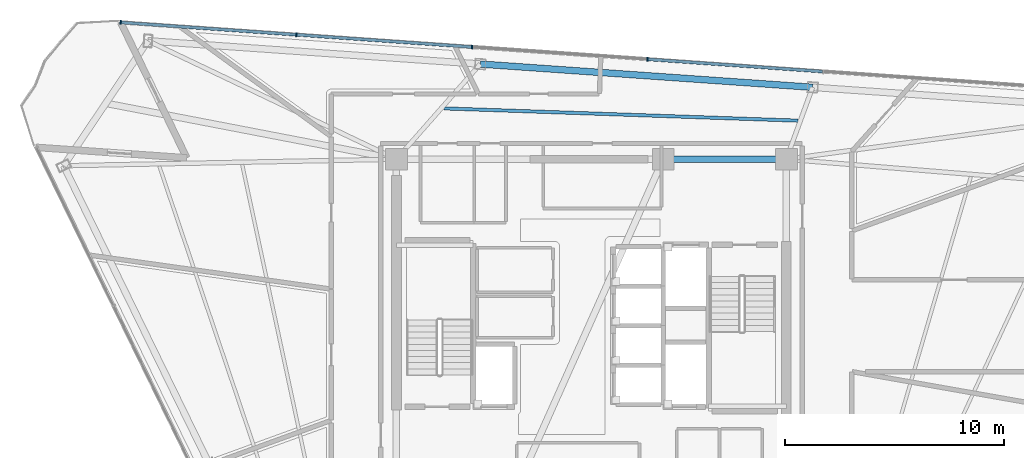
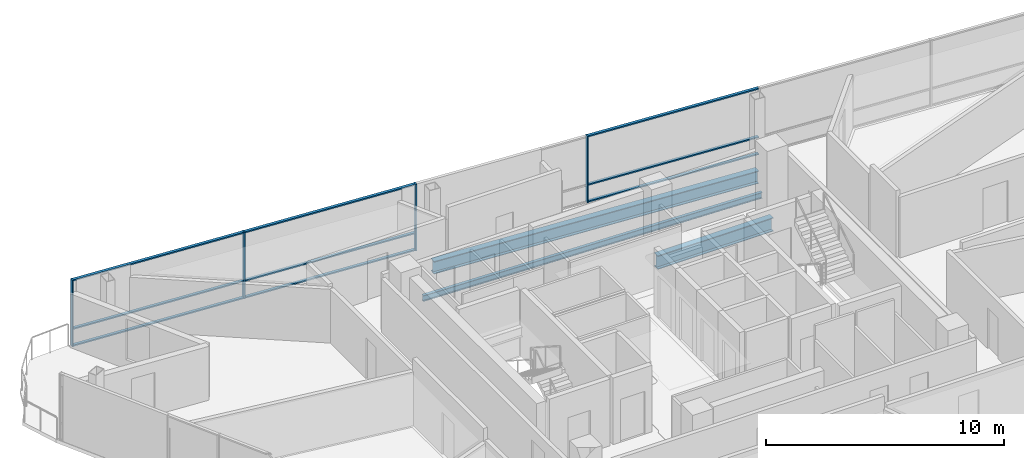
# One storey, part 6 of 14: 13 members, 3 beams, 1 element without a shape of its own.
"""IFC4 building model written with IfcOpenShell, lengths in metres."""

from ifc_helpers import new_model, si_unit, direction, frame, origin, origin_2d, place, context, subcontext, project, spatial, rectangle, i_section, extrude, material, layer, layer_set, material_profile, profile_set, type_object, element, aggregate, save


model = new_model("IFC4")

# Units and contexts
model_context = context("Model", 3, precision=1e-05, world=origin(), true_north=direction((0.0, 1.0)))
body_context = subcontext(model_context, "Body", "Model", "MODEL_VIEW")
ifc_project = project(units=[si_unit("LENGTHUNIT", "METRE"), si_unit("AREAUNIT", "SQUARE_METRE"), si_unit("VOLUMEUNIT", "CUBIC_METRE"), si_unit("PLANEANGLEUNIT", "RADIAN"), si_unit("MASSUNIT", "GRAM", prefix="KILO")], contexts=[model_context])

# Site, building, storey
site_placement = place(None, origin())
site = spatial("IfcSite", under=ifc_project, at=site_placement, CompositionType="ELEMENT")
building_placement = place(site_placement, origin())
building = spatial("IfcBuilding", under=site, at=building_placement, Name="Tharavind Bronze Gate", CompositionType="ELEMENT")
storey_placement = place(building_placement, frame((0.0, 0.0, 237.85009765625)))
storey = spatial("IfcBuildingStorey", under=building, at=storey_placement, Name="L61", CompositionType="ELEMENT", Elevation=237.85009765625)

# Curtain wall, members
ifc_material_1 = material(Name="Anodised Bronze Aluminium", Category="aluminium")
ifc_layer = layer(ifc_material_1, 0.219970703125)
ifc_layer_set = layer_set([ifc_layer], Name="Anodised Bronze Aluminium")
curtain_wall_type = type_object("IfcCurtainWallType", Name="UNITISED CURTAIN WALL UPPER OFFICE", PredefinedType="USERDEFINED", material=ifc_layer_set)
curtain_wall_placement = place(storey_placement, origin())
curtain_wall = element("IfcCurtainWall", 1, at=curtain_wall_placement, inside=storey, type_object=curtain_wall_type, Name="L61 unitised curtain wall upper office CW-L61-S3", ObjectType="UNITISED CURTAIN WALL", PredefinedType="USERDEFINED")
member_type_1 = type_object("IfcMemberType", Name="CURTAIN WALL BRONZE MULLION 65X180", PredefinedType="MULLION", material=ifc_material_1)
member_1_placement = place(storey_placement, frame((2.5654296875, 12.162353515625, 0.0), z_axis=(0.0, 0.0, 1.0), x_axis=(-0.99756392851, 0.069758214822, 0.0)))
member_1 = element("IfcMember", 2, at=member_1_placement, type_object=member_type_1, Name="CW-L61-S3 mullion 4", PredefinedType="MULLION", context=body_context, shape_type="SweptSolid", body=[
    extrude(rectangle(XDim=0.06494140625, YDim=0.179931640625, at=origin_2d()), origin(), (0.0, 0.0, 1.0), 3.419921875),
])
member_2_placement = place(storey_placement, frame((-5.452880859375, 12.72314453125, 0.0), z_axis=(0.0, 0.0, 1.0), x_axis=(-0.99756392851, 0.069758214822, 0.0)))
member_2 = element("IfcMember", 3, at=member_2_placement, type_object=member_type_1, Name="CW-L61-S3 mullion 5", PredefinedType="MULLION", context=body_context, shape_type="SweptSolid", body=[
    extrude(rectangle(XDim=0.06494140625, YDim=0.179931640625, at=origin_2d()), origin(), (0.0, 0.0, 1.0), 3.419921875),
])
member_3_placement = place(storey_placement, frame((-13.471435546875, 13.28369140625, 0.0), z_axis=(0.0, 0.0, 1.0), x_axis=(-0.99756392851, 0.069758214822, 0.0)))
member_3 = element("IfcMember", 4, at=member_3_placement, type_object=member_type_1, Name="CW-L61-S3 mullion 6", PredefinedType="MULLION", context=body_context, shape_type="SweptSolid", body=[
    extrude(rectangle(XDim=0.06494140625, YDim=0.179931640625, at=origin_2d()), origin(), (0.0, 0.0, 1.0), 3.419921875),
])
member_4_placement = place(storey_placement, frame((-21.489990234375, 13.844482421875, 0.0), z_axis=(0.0, 0.0, 1.0), x_axis=(-0.99756392851, 0.069758214822, 0.0)))
member_4 = element("IfcMember", 5, at=member_4_placement, type_object=member_type_1, Name="CW-L61-S3 mullion 7", PredefinedType="MULLION", context=body_context, shape_type="SweptSolid", body=[
    extrude(rectangle(XDim=0.06494140625, YDim=0.179931640625, at=origin_2d()), origin(), (0.0, 0.0, 1.0), 3.419921875),
])
member_type_2 = type_object("IfcMemberType", Name="CURTAIN WALL BRONZE TRANSOM 65X140", PredefinedType="USERDEFINED", material=ifc_material_1)
member_5_placement = place(storey_placement, frame((6.57470703125, 11.882080078125, 0.0), z_axis=(0.0, 0.0, 1.0), x_axis=(-0.99756392851, 0.069758214822, 0.0)))
member_5 = element("IfcMember", 6, at=member_5_placement, type_object=member_type_2, Name="CW-L61-S3 transom TB3", ObjectType="TRANSOM", PredefinedType="USERDEFINED", context=body_context, shape_type="SweptSolid", body=[
    extrude(rectangle(XDim=7.985107421875, YDim=0.139892578125, at=origin_2d()), origin(), (0.0, 0.0, 1.0), 0.06494140625),
])
member_6_placement = place(storey_placement, frame((6.57470703125, 11.882080078125, 0.867431640625), z_axis=(0.0, 0.0, 1.0), x_axis=(-0.99756392851, 0.069758214822, 0.0)))
member_6 = element("IfcMember", 7, at=member_6_placement, type_object=member_type_2, Name="CW-L61-S3 transom TS3", ObjectType="TRANSOM", PredefinedType="USERDEFINED", context=body_context, shape_type="SweptSolid", body=[
    extrude(rectangle(XDim=7.985107421875, YDim=0.139892578125, at=origin_2d()), origin(), (0.0, 0.0, 1.0), 0.06494140625),
])
member_7_placement = place(storey_placement, frame((6.57470703125, 11.882080078125, 3.35498046875), z_axis=(0.0, 0.0, 1.0), x_axis=(-0.99756392851, 0.069758214822, 0.0)))
member_7 = element("IfcMember", 8, at=member_7_placement, type_object=member_type_2, Name="CW-L61-S3 transom TT3", ObjectType="TRANSOM", PredefinedType="USERDEFINED", context=body_context, shape_type="SweptSolid", body=[
    extrude(rectangle(XDim=7.985107421875, YDim=0.139892578125, at=origin_2d()), origin(), (0.0, 0.0, 1.0), 0.06494140625),
])
member_8_placement = place(storey_placement, frame((-9.462158203125, 13.00341796875, 0.0), z_axis=(0.0, 0.0, 1.0), x_axis=(-0.99756392851, 0.069758214822, 0.0)))
member_8 = element("IfcMember", 9, at=member_8_placement, type_object=member_type_2, Name="CW-L61-S3 transom TB5", ObjectType="TRANSOM", PredefinedType="USERDEFINED", context=body_context, shape_type="SweptSolid", body=[
    extrude(rectangle(XDim=7.985107421875, YDim=0.139892578125, at=origin_2d()), origin(), (0.0, 0.0, 1.0), 0.06494140625),
])
member_9_placement = place(storey_placement, frame((-9.462158203125, 13.00341796875, 0.867431640625), z_axis=(0.0, 0.0, 1.0), x_axis=(-0.99756392851, 0.069758214822, 0.0)))
member_9 = element("IfcMember", 10, at=member_9_placement, type_object=member_type_2, Name="CW-L61-S3 transom TS5", ObjectType="TRANSOM", PredefinedType="USERDEFINED", context=body_context, shape_type="SweptSolid", body=[
    extrude(rectangle(XDim=7.985107421875, YDim=0.139892578125, at=origin_2d()), origin(), (0.0, 0.0, 1.0), 0.06494140625),
])
member_10_placement = place(storey_placement, frame((-9.462158203125, 13.00341796875, 3.35498046875), z_axis=(0.0, 0.0, 1.0), x_axis=(-0.99756392851, 0.069758214822, 0.0)))
member_10 = element("IfcMember", 11, at=member_10_placement, type_object=member_type_2, Name="CW-L61-S3 transom TT5", ObjectType="TRANSOM", PredefinedType="USERDEFINED", context=body_context, shape_type="SweptSolid", body=[
    extrude(rectangle(XDim=7.985107421875, YDim=0.139892578125, at=origin_2d()), origin(), (0.0, 0.0, 1.0), 0.06494140625),
])
member_11_placement = place(storey_placement, frame((-17.480712890625, 13.564208984375, 0.0), z_axis=(0.0, 0.0, 1.0), x_axis=(-0.99756392851, 0.069758214822, 0.0)))
member_11 = element("IfcMember", 12, at=member_11_placement, type_object=member_type_2, Name="CW-L61-S3 transom TB6", ObjectType="TRANSOM", PredefinedType="USERDEFINED", context=body_context, shape_type="SweptSolid", body=[
    extrude(rectangle(XDim=7.985107421875, YDim=0.139892578125, at=origin_2d()), origin(), (0.0, 0.0, 1.0), 0.06494140625),
])
member_12_placement = place(storey_placement, frame((-17.480712890625, 13.564208984375, 0.867431640625), z_axis=(0.0, 0.0, 1.0), x_axis=(-0.99756392851, 0.069758214822, 0.0)))
member_12 = element("IfcMember", 13, at=member_12_placement, type_object=member_type_2, Name="CW-L61-S3 transom TS6", ObjectType="TRANSOM", PredefinedType="USERDEFINED", context=body_context, shape_type="SweptSolid", body=[
    extrude(rectangle(XDim=7.985107421875, YDim=0.139892578125, at=origin_2d()), origin(), (0.0, 0.0, 1.0), 0.06494140625),
])
member_13_placement = place(storey_placement, frame((-17.480712890625, 13.564208984375, 3.35498046875), z_axis=(0.0, 0.0, 1.0), x_axis=(-0.99756392851, 0.069758214822, 0.0)))
member_13 = element("IfcMember", 14, at=member_13_placement, type_object=member_type_2, Name="CW-L61-S3 transom TT6", ObjectType="TRANSOM", PredefinedType="USERDEFINED", context=body_context, shape_type="SweptSolid", body=[
    extrude(rectangle(XDim=7.985107421875, YDim=0.139892578125, at=origin_2d()), origin(), (0.0, 0.0, 1.0), 0.06494140625),
])
aggregate(curtain_wall, [member_1, member_2, member_3, member_4, member_5, member_6, member_7, member_8, member_9, member_10, member_11, member_12, member_13])

# Beams
ifc_material_2 = material(Name="Steel S355", Category="steel")
ifc_material_profile_1 = material_profile(ifc_material_2, i_section(OverallWidth=0.300048828125, OverallDepth=0.64990234375, WebThickness=0.01611328125, FlangeThickness=0.031005859375, at=origin_2d()), Name="HE650B")
ifc_profile_set_1 = profile_set([ifc_material_profile_1], Name="Steel S355")
beam_type_1 = type_object("IfcBeamType", Name="PRIMARY GIRDER HE650B", PredefinedType="USERDEFINED", material=ifc_profile_set_1)
beam_1_placement = place(storey_placement, frame((10.099609375, 10.8837890625, -0.505126953125), z_axis=(-0.997564956602, 0.069743511238, 0.0), x_axis=(-0.069743511238, -0.997564956602, 0.0)))
element("IfcBeam", 15, at=beam_1_placement, inside=storey, type_object=beam_type_1, Name="L61 primary girder he650b BM-L61-PRG10", ObjectType="GIRDER", PredefinedType="USERDEFINED", context=body_context, shape_type="SweptSolid", body=[
    extrude(i_section(OverallWidth=0.300048828125, OverallDepth=0.64990234375, WebThickness=0.01611328125, FlangeThickness=0.031005859375, at=origin_2d()), origin(), (0.0, 0.0, 1.0), 15.2099609375),
])
ifc_material_profile_2 = material_profile(ifc_material_2, i_section(OverallWidth=0.300048828125, OverallDepth=0.699951171875, WebThickness=0.01708984375, FlangeThickness=0.031982421875, at=origin_2d()), Name="HE700B")
ifc_profile_set_2 = profile_set([ifc_material_profile_2], Name="Steel S355")
beam_type_2 = type_object("IfcBeamType", Name="RING GIRDER HE700B", PredefinedType="USERDEFINED", material=ifc_profile_set_2)
beam_2_placement = place(storey_placement, frame((8.89990234375, 7.60009765625, -0.530029296875), z_axis=(-1.0, 0.0, 0.0), x_axis=(0.0, -1.0, 0.0)))
element("IfcBeam", 16, at=beam_2_placement, inside=storey, type_object=beam_type_2, Name="L61 ring girder he700b BM-L61-CR4", ObjectType="GIRDER", PredefinedType="USERDEFINED", context=body_context, shape_type="SweptSolid", body=[
    extrude(i_section(OverallWidth=0.300048828125, OverallDepth=0.699951171875, WebThickness=0.01708984375, FlangeThickness=0.031982421875, at=origin_2d()), origin(), (0.0, 0.0, 1.0), 5.619873046875),
])
ifc_material_profile_3 = material_profile(ifc_material_2, i_section(OverallWidth=0.14990234375, OverallDepth=0.300048828125, WebThickness=0.007080078125, FlangeThickness=0.0107421875, at=origin_2d()), Name="IPE300")
ifc_profile_set_3 = profile_set([ifc_material_profile_3], Name="Steel S355")
beam_type_3 = type_object("IfcBeamType", Name="SECONDARY FLOOR JOIST IPE300", PredefinedType="JOIST", material=ifc_profile_set_3)
beam_3_placement = place(storey_placement, frame((9.4326171875, 9.360595703125, -0.330078125), z_axis=(-0.999400965348, 0.034607953742, 0.0), x_axis=(-0.034607953742, -0.999400965348, 0.0)))
element("IfcBeam", 17, at=beam_3_placement, inside=storey, type_object=beam_type_3, Name="L61 secondary floor joist ipe300 BM-L61-JSTA10", PredefinedType="JOIST", context=body_context, shape_type="SweptSolid", body=[
    extrude(i_section(OverallWidth=0.14990234375, OverallDepth=0.300048828125, WebThickness=0.007080078125, FlangeThickness=0.0107421875, at=origin_2d()), origin(), (0.0, 0.0, 1.0), 16.161865234375),
])

save(model, "model.ifc")
